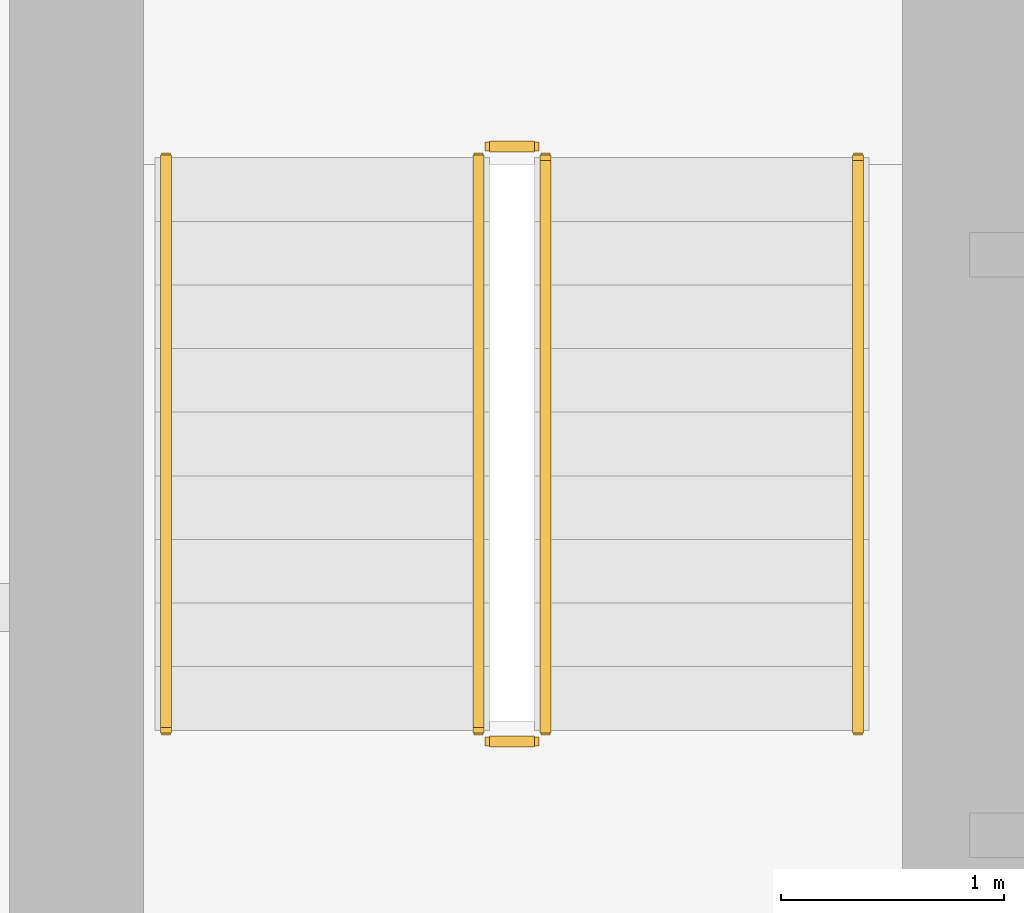
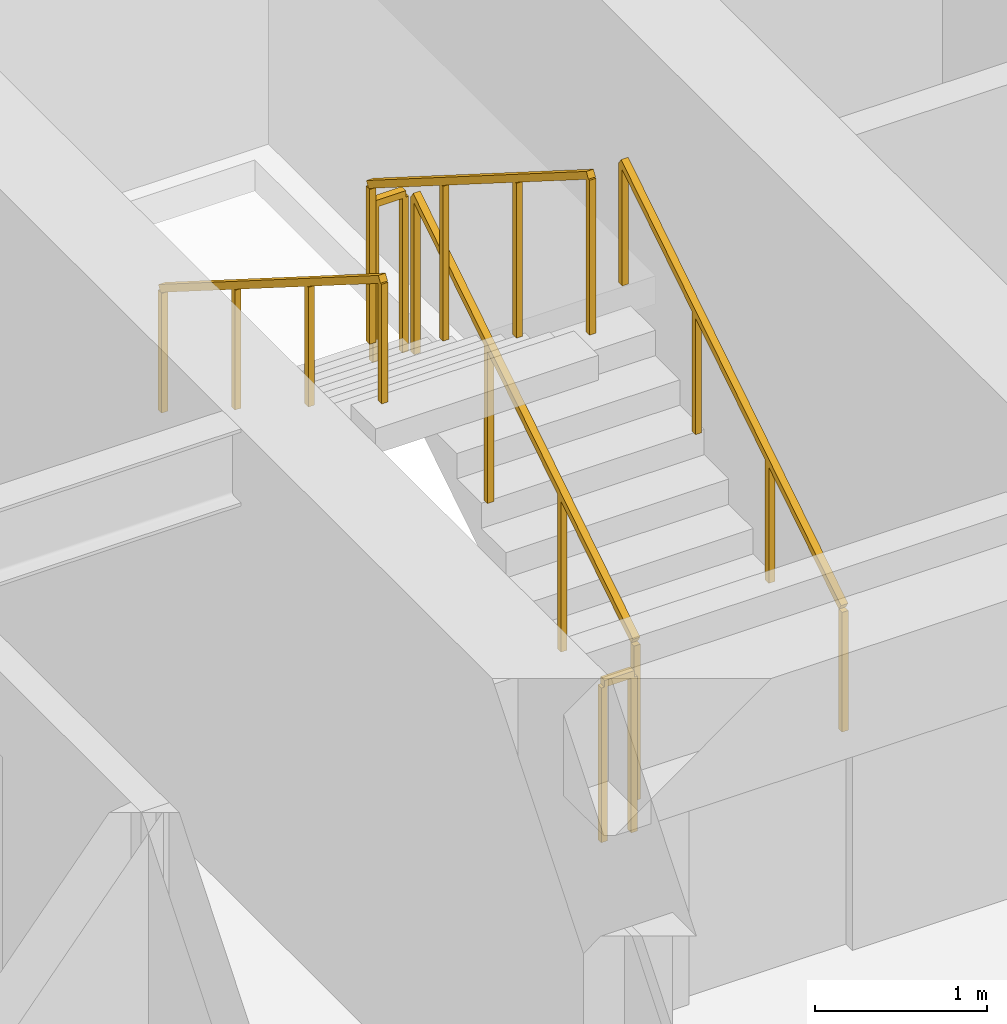
# One storey, part 24 of 26: 6 railings.
"""IFC4 building model written with IfcOpenShell, lengths in metres."""

from ifc_helpers import new_model, si_unit, direction, frame, origin, origin_2d, place, context, subcontext, project, spatial, rectangle, extrude, material, type_object, element, save


model = new_model("IFC4")

# Units and contexts
model_context = context("Model", 3, precision=1e-05, world=origin(), true_north=direction((0.0, 1.0)))
body_context = subcontext(model_context, "Body", "Model", "MODEL_VIEW")
ifc_project = project(units=[si_unit("LENGTHUNIT", "METRE"), si_unit("AREAUNIT", "SQUARE_METRE"), si_unit("VOLUMEUNIT", "CUBIC_METRE"), si_unit("PLANEANGLEUNIT", "RADIAN"), si_unit("MASSUNIT", "GRAM", prefix="KILO")], contexts=[model_context])

# Site, building, storey
site_placement = place(None, origin())
site = spatial("IfcSite", under=ifc_project, at=site_placement, CompositionType="ELEMENT")
building_placement = place(site_placement, origin())
building = spatial("IfcBuilding", under=site, at=building_placement, Name="Sarneth Arch Tower", CompositionType="ELEMENT")
storey_placement = place(building_placement, frame((0.0, 0.0, 57.0)))
storey = spatial("IfcBuildingStorey", under=building, at=storey_placement, Name="L13", CompositionType="ELEMENT", Elevation=57.0)

# Railings
ifc_material_1 = material(Name="Brushed Stainless Steel 304 tubular handrail", Category="steel")
railing_type_1 = type_object("IfcRailingType", Name="RAIL-HANDRAIL-900", PredefinedType="HANDRAIL", material=ifc_material_1)
railing_1_placement = place(storey_placement, frame((40.5, 41.449951171875, 0.179931640625)))
element("IfcRailing", 1, at=railing_1_placement, inside=storey, type_object=railing_type_1, Name="L13 ST-1 stair handrail 1", PredefinedType="HANDRAIL", context=body_context, shape_type="SweptSolid", body=[
    extrude(rectangle(XDim=0.048095703125, YDim=0.048095703125, at=origin_2d()), frame((0.0, 0.0, 0.8759765625), z_axis=(0.0, 0.845465955043, 0.534029323973), x_axis=(-1.0, 0.0, 0.0)), (0.0, 0.0, 1.0), 3.03369140625),
    extrude(rectangle(XDim=0.0419921875, YDim=0.0419921875, at=origin_2d()), origin(), (0.0, 0.0, 1.0), 0.851806640625),
    extrude(rectangle(XDim=0.0419921875, YDim=0.0419921875, at=origin_2d()), frame((0.0, 0.85498046875, 0.5400390625)), (0.0, 0.0, 1.0), 0.851806640625),
    extrude(rectangle(XDim=0.0419921875, YDim=0.0419921875, at=origin_2d()), frame((0.0, 1.7099609375, 1.080078125)), (0.0, 0.0, 1.0), 0.851806640625),
    extrude(rectangle(XDim=0.0419921875, YDim=0.0419921875, at=origin_2d()), frame((0.0, 2.56494140625, 1.6201171875)), (0.0, 0.0, 1.0), 0.851806640625),
])
railing_2_placement = place(storey_placement, frame((37.39990234375, 44.014892578125, 1.97998046875)))
element("IfcRailing", 2, at=railing_2_placement, inside=storey, type_object=railing_type_1, Name="L13 ST-1 stair handrail 2", PredefinedType="HANDRAIL", context=body_context, shape_type="SweptSolid", body=[
    extrude(rectangle(XDim=0.048095703125, YDim=0.048095703125, at=origin_2d()), frame((0.0, 0.0, 0.8759765625), z_axis=(0.0, -0.845465955043, 0.534029323973), x_axis=(1.0, 0.0, 0.0)), (0.0, 0.0, 1.0), 3.03369140625),
    extrude(rectangle(XDim=0.0419921875, YDim=0.0419921875, at=origin_2d()), origin(), (0.0, 0.0, 1.0), 0.851806640625),
    extrude(rectangle(XDim=0.0419921875, YDim=0.0419921875, at=origin_2d()), frame((0.0, -0.85498046875, 0.5400390625)), (0.0, 0.0, 1.0), 0.851806640625),
    extrude(rectangle(XDim=0.0419921875, YDim=0.0419921875, at=origin_2d()), frame((0.0, -1.7099609375, 1.080078125)), (0.0, 0.0, 1.0), 0.851806640625),
    extrude(rectangle(XDim=0.0419921875, YDim=0.0419921875, at=origin_2d()), frame((0.0, -2.56494140625, 1.6201171875)), (0.0, 0.0, 1.0), 0.851806640625),
])
ifc_material_2 = material(Name="Painted Steel S275 stair well guard", Category="steel")
railing_type_2 = type_object("IfcRailingType", Name="RAIL-STAIR-GUARD", PredefinedType="GUARDRAIL", material=ifc_material_2)
railing_3_placement = place(storey_placement, frame((39.10009765625, 41.449951171875, 0.179931640625)))
element("IfcRailing", 3, at=railing_3_placement, inside=storey, type_object=railing_type_2, Name="L13 ST-1 stair guard 1", PredefinedType="GUARDRAIL", context=body_context, shape_type="SweptSolid", body=[
    extrude(rectangle(XDim=0.048095703125, YDim=0.048095703125, at=origin_2d()), frame((0.0, 0.0, 1.1259765625), z_axis=(0.0, 0.845465955043, 0.534029323973), x_axis=(-1.0, 0.0, 0.0)), (0.0, 0.0, 1.0), 3.03369140625),
    extrude(rectangle(XDim=0.0419921875, YDim=0.0419921875, at=origin_2d()), origin(), (0.0, 0.0, 1.0), 1.101806640625),
    extrude(rectangle(XDim=0.0419921875, YDim=0.0419921875, at=origin_2d()), frame((0.0, 0.85498046875, 0.5400390625)), (0.0, 0.0, 1.0), 1.101806640625),
    extrude(rectangle(XDim=0.0419921875, YDim=0.0419921875, at=origin_2d()), frame((0.0, 1.7099609375, 1.080078125)), (0.0, 0.0, 1.0), 1.101806640625),
    extrude(rectangle(XDim=0.0419921875, YDim=0.0419921875, at=origin_2d()), frame((0.0, 2.56494140625, 1.6201171875)), (0.0, 0.0, 1.0), 1.101806640625),
])
railing_4_placement = place(storey_placement, frame((39.050048828125, 44.06494140625, 1.800048828125)))
element("IfcRailing", 4, at=railing_4_placement, inside=storey, type_object=railing_type_2, Name="L13 ST-1 stair guard 2", PredefinedType="GUARDRAIL", context=body_context, shape_type="SweptSolid", body=[
    extrude(rectangle(XDim=0.048095703125, YDim=0.048095703125, at=origin_2d()), frame((0.0, 0.0, 1.1259765625), z_axis=(-1.0, 0.0, 0.0), x_axis=(0.0, -1.0, 0.0)), (0.0, 0.0, 1.0), 0.199951171875),
    extrude(rectangle(XDim=0.0419921875, YDim=0.0419921875, at=origin_2d()), origin(), (0.0, 0.0, 1.0), 1.101806640625),
    extrude(rectangle(XDim=0.0419921875, YDim=0.0419921875, at=origin_2d()), frame((-0.199951171875, 0.0, 0.0)), (0.0, 0.0, 1.0), 1.101806640625),
])
railing_5_placement = place(storey_placement, frame((38.800048828125, 44.014892578125, 1.97998046875)))
element("IfcRailing", 5, at=railing_5_placement, inside=storey, type_object=railing_type_2, Name="L13 ST-1 stair guard 3", PredefinedType="GUARDRAIL", context=body_context, shape_type="SweptSolid", body=[
    extrude(rectangle(XDim=0.048095703125, YDim=0.048095703125, at=origin_2d()), frame((0.0, 0.0, 1.1259765625), z_axis=(0.0, -0.845465955043, 0.534029323973), x_axis=(1.0, 0.0, 0.0)), (0.0, 0.0, 1.0), 3.03369140625),
    extrude(rectangle(XDim=0.0419921875, YDim=0.0419921875, at=origin_2d()), origin(), (0.0, 0.0, 1.0), 1.101806640625),
    extrude(rectangle(XDim=0.0419921875, YDim=0.0419921875, at=origin_2d()), frame((0.0, -0.85498046875, 0.5400390625)), (0.0, 0.0, 1.0), 1.101806640625),
    extrude(rectangle(XDim=0.0419921875, YDim=0.0419921875, at=origin_2d()), frame((0.0, -1.7099609375, 1.080078125)), (0.0, 0.0, 1.0), 1.101806640625),
    extrude(rectangle(XDim=0.0419921875, YDim=0.0419921875, at=origin_2d()), frame((0.0, -2.56494140625, 1.6201171875)), (0.0, 0.0, 1.0), 1.101806640625),
])
railing_6_placement = place(storey_placement, frame((39.050048828125, 41.39990234375, 0.0)))
element("IfcRailing", 6, at=railing_6_placement, inside=storey, type_object=railing_type_2, Name="L13 ST-1 stair guard 4", PredefinedType="GUARDRAIL", context=body_context, shape_type="SweptSolid", body=[
    extrude(rectangle(XDim=0.048095703125, YDim=0.048095703125, at=origin_2d()), frame((0.0, 0.0, 1.1259765625), z_axis=(-1.0, 0.0, 0.0), x_axis=(0.0, -1.0, 0.0)), (0.0, 0.0, 1.0), 0.199951171875),
    extrude(rectangle(XDim=0.0419921875, YDim=0.0419921875, at=origin_2d()), origin(), (0.0, 0.0, 1.0), 1.101806640625),
    extrude(rectangle(XDim=0.0419921875, YDim=0.0419921875, at=origin_2d()), frame((-0.199951171875, 0.0, 0.0)), (0.0, 0.0, 1.0), 1.101806640625),
])

save(model, "model.ifc")
